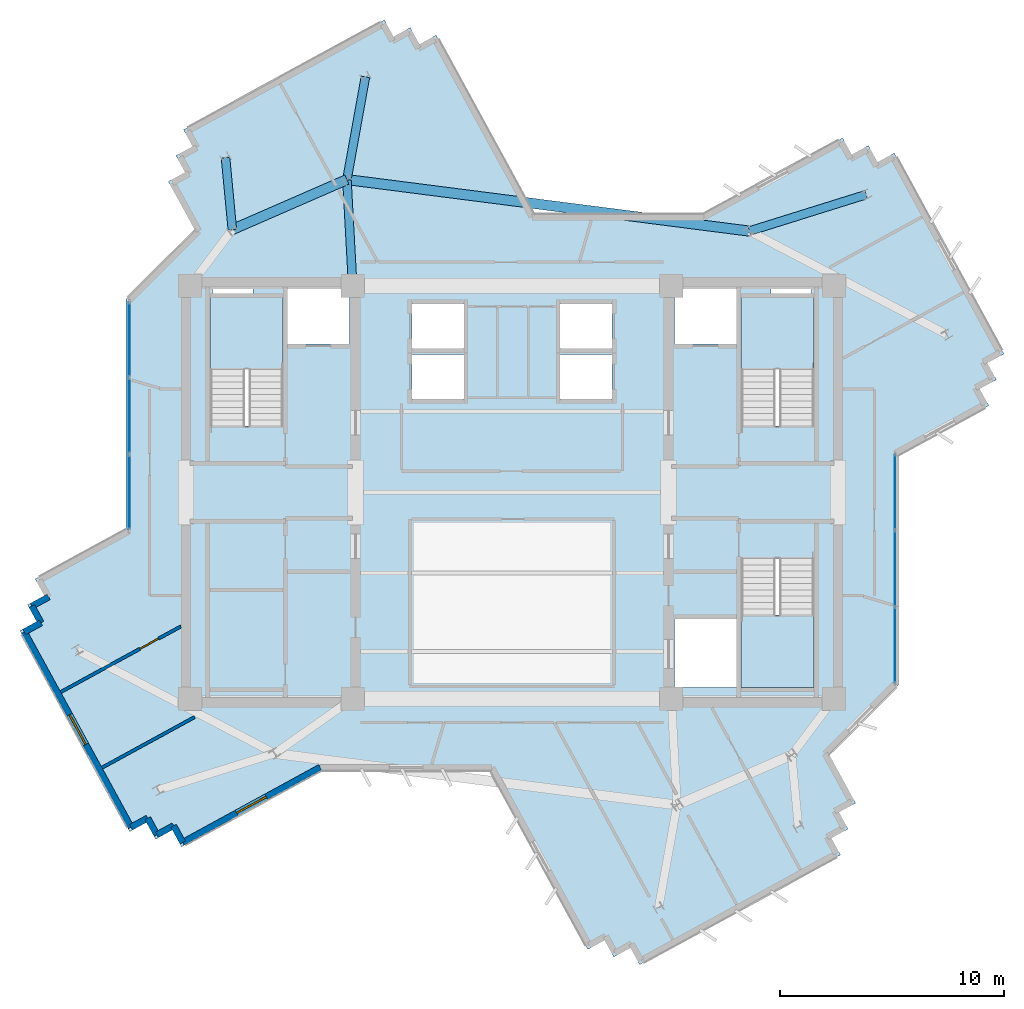
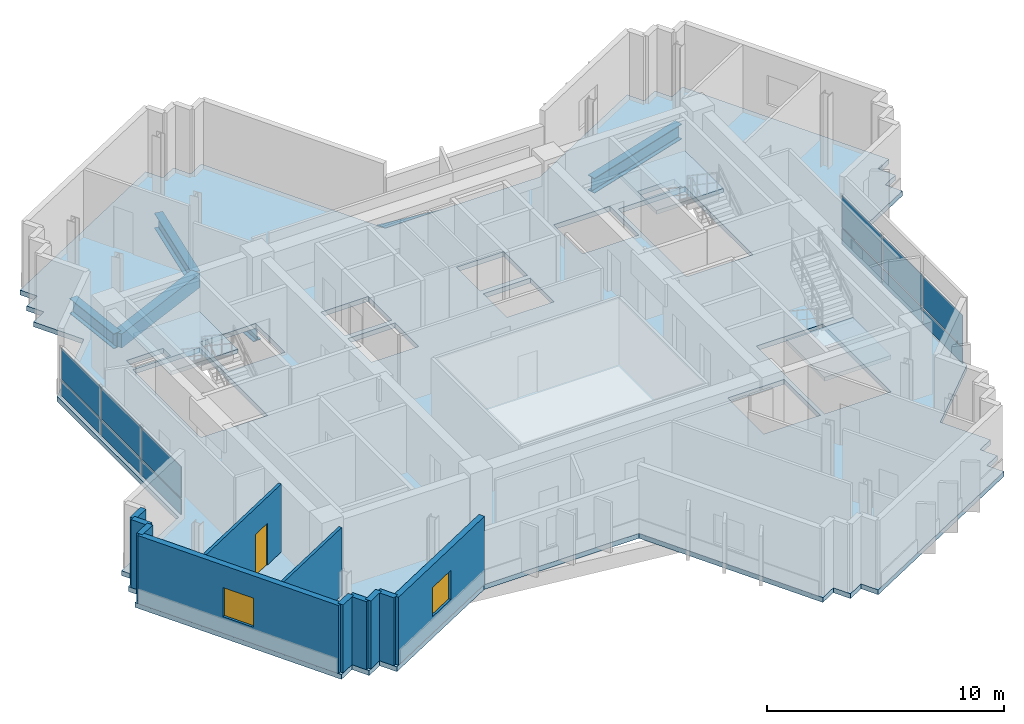
# One storey, part 4 of 13: 12 plates, 11 walls, 6 beams, 4 slabs, 2 windows, 1 door, 3 openings, 5 elements without a shape of their own.
"""IFC4 building model written with IfcOpenShell, lengths in metres."""

import ifcopenshell
import ifcopenshell.guid

model = None  # the IFC model being written
_history = None  # IfcOwnerHistory: only IFC2X3 demands one
_inside = {}  # id of a spatial element -> (the spatial element, [elements in it])
_under = {}  # id of a project, library or spatial element -> (it, [spatial elements below it])
_declared = {}  # id of a project -> (the project, [libraries it declares])
_typed = {}  # id of a type object -> (the type object, [elements of that type])
_made_of = {}  # id of a material, layer set ... -> (it, [elements and type objects made of it])


def new_model(schema):
    """Start an empty IFC model of exactly this schema.

    Asked for "IFC4X3", IfcOpenShell would pick the latest addendum, in which some entities
    have other attributes; the version numbers below select the first issue.
    IFC2X3 requires an IfcOwnerHistory on every rooted entity: one is made here for all.
    """
    global model, _history
    if schema == "IFC4X3":
        model = ifcopenshell.file(schema_version=(4, 3, 0, 0))
    else:
        model = ifcopenshell.file(schema=schema)
    _inside.clear()
    _under.clear()
    _declared.clear()
    _typed.clear()
    _made_of.clear()
    _history = None
    if model.schema == "IFC2X3":
        org = make("IfcOrganization", Name="unknown")
        user = make(
            "IfcPersonAndOrganization",
            ThePerson=make("IfcPerson", FamilyName="unknown"),
            TheOrganization=org,
        )
        app = make(
            "IfcApplication",
            ApplicationDeveloper=org,
            Version="unknown",
            ApplicationFullName="unknown",
            ApplicationIdentifier="unknown",
        )
        _history = make(
            "IfcOwnerHistory",
            OwningUser=user,
            OwningApplication=app,
            ChangeAction="ADDED",
            CreationDate=0,
        )
    return model


def make(cls, **values):
    """One entity of the class cls with the attributes given. An attribute that is None is left unset."""
    return model.create_entity(
        cls, **{name: value for name, value in values.items() if value is not None}
    )


def rooted(cls, **values):
    """An entity with a GlobalId (a new one), such as an element, a storey or a relation."""
    return make(cls, GlobalId=ifcopenshell.guid.new(), OwnerHistory=_history, **values)


def si_unit(unit_type, name, prefix=None):
    """IfcSIUnit, for example si_unit("LENGTHUNIT", "METRE", prefix="MILLI")."""
    return make("IfcSIUnit", UnitType=unit_type, Prefix=prefix, Name=name)


def assignment(units):
    """IfcUnitAssignment: the units of a project."""
    return None if units is None else make("IfcUnitAssignment", Units=units)


def point(xyz):
    """IfcCartesianPoint."""
    return None if xyz is None else make("IfcCartesianPoint", Coordinates=xyz)


def direction(xyz):
    """IfcDirection."""
    return None if xyz is None else make("IfcDirection", DirectionRatios=xyz)


def frame(location, z_axis=None, x_axis=None):
    """IfcAxis2Placement3D, a coordinate frame: its origin and axes. An axis left out is left unset."""
    return make(
        "IfcAxis2Placement3D",
        Location=point(location),
        Axis=direction(z_axis),
        RefDirection=direction(x_axis),
    )


def frame_2d(location, x_axis=None):
    """IfcAxis2Placement2D, a coordinate frame in the plane: its origin and x axis."""
    return make(
        "IfcAxis2Placement2D", Location=point(location), RefDirection=direction(x_axis)
    )


def origin():
    """The frame at (0, 0, 0) with its axes left unset."""
    return frame((0.0, 0.0, 0.0))


def origin_2d():
    """The frame at (0, 0) in the plane with its x axis left unset."""
    return frame_2d((0.0, 0.0))


def place(relative_to, where):
    """IfcLocalPlacement: puts the frame where relative to a parent placement (None: the world)."""
    return make(
        "IfcLocalPlacement", PlacementRelTo=relative_to, RelativePlacement=where
    )


def context(
    kind, dimensions, precision=None, world=None, true_north=None, identifier=None
):
    """IfcGeometricRepresentationContext, for example the 3D "Model" context."""
    return make(
        "IfcGeometricRepresentationContext",
        ContextIdentifier=identifier,
        ContextType=kind,
        CoordinateSpaceDimension=dimensions,
        Precision=precision,
        WorldCoordinateSystem=world,
        TrueNorth=true_north,
    )


def subcontext(parent, identifier, kind, view, scale=None):
    """IfcGeometricRepresentationSubContext, for example "Body" below "Model"."""
    return make(
        "IfcGeometricRepresentationSubContext",
        ContextIdentifier=identifier,
        ContextType=kind,
        ParentContext=parent,
        TargetScale=scale,
        TargetView=view,
    )


def project(units=None, contexts=None):
    """IfcProject with its units and contexts."""
    return rooted(
        "IfcProject",
        Name="project",
        RepresentationContexts=contexts,
        UnitsInContext=assignment(units),
    )


def spatial(cls, under=None, at=None, **own):
    """A site, building, storey or space (cls), placed at a placement, below another one or the project."""
    s = rooted(cls, ObjectPlacement=at, **own)
    if under is not None:
        _under.setdefault(under.id(), (under, []))[1].append(s)
    return s


def polyline(points):
    """IfcPolyline through the points."""
    return make("IfcPolyline", Points=[point(p) for p in points])


def profile(cls, at=None, kind="AREA", **sizes):
    """A parametric profile (cls). Its sizes go by their IFC names, for example OverallWidth=200.0."""
    return make(cls, ProfileType=kind, Position=at, **sizes)


def rectangle(**sizes):
    """IfcRectangleProfileDef."""
    return profile("IfcRectangleProfileDef", **sizes)


def i_section(**sizes):
    """IfcIShapeProfileDef."""
    return profile("IfcIShapeProfileDef", **sizes)


def outline(outer, holes=None, kind="AREA"):
    """IfcArbitraryClosedProfileDef: a profile drawn as a closed curve; with holes, ...WithVoids."""
    if holes is None:
        return make("IfcArbitraryClosedProfileDef", ProfileType=kind, OuterCurve=outer)
    return make(
        "IfcArbitraryProfileDefWithVoids",
        ProfileType=kind,
        OuterCurve=outer,
        InnerCurves=holes,
    )


def extrude(swept, where, along, depth):
    """IfcExtrudedAreaSolid: the profile swept, set in the frame where, extruded along a direction by depth."""
    return make(
        "IfcExtrudedAreaSolid",
        SweptArea=swept,
        Position=where,
        ExtrudedDirection=direction(along),
        Depth=depth,
    )


def shape(context_of_items, identifier, shape_type, items):
    """IfcShapeRepresentation: the items that make up one representation, for example the "Body"."""
    return make(
        "IfcShapeRepresentation",
        ContextOfItems=context_of_items,
        RepresentationIdentifier=identifier,
        RepresentationType=shape_type,
        Items=items,
    )


def source(mapping_origin, context_of_items, identifier, shape_type, items):
    """IfcRepresentationMap: a shape defined once, which mapped items show again and again."""
    return make(
        "IfcRepresentationMap",
        MappingOrigin=mapping_origin,
        MappedRepresentation=shape(context_of_items, identifier, shape_type, items),
    )


def transform(
    local_origin,
    x_axis=None,
    y_axis=None,
    z_axis=None,
    scale=None,
    scale2=None,
    scale3=None,
    uniform=True,
):
    """IfcCartesianTransformationOperator3D, or its non-uniform kind. x_axis, y_axis, z_axis: its Axis1, 2, 3."""
    if uniform:
        return make(
            "IfcCartesianTransformationOperator3D",
            Axis1=direction(x_axis),
            Axis2=direction(y_axis),
            LocalOrigin=point(local_origin),
            Scale=scale,
            Axis3=direction(z_axis),
        )
    return make(
        "IfcCartesianTransformationOperator3DnonUniform",
        Axis1=direction(x_axis),
        Axis2=direction(y_axis),
        LocalOrigin=point(local_origin),
        Scale=scale,
        Axis3=direction(z_axis),
        Scale2=scale2,
        Scale3=scale3,
    )


def mapped(mapping_source, mapping_target):
    """IfcMappedItem: shows the shape of a source again, moved by a transform."""
    return make(
        "IfcMappedItem", MappingSource=mapping_source, MappingTarget=mapping_target
    )


def material(Name=None, Category=None):
    """IfcMaterial."""
    return make("IfcMaterial", Name=Name, Category=Category)


def layer(
    of_material, thickness, ventilated=None, Name=None, Category=None, Priority=None
):
    """IfcMaterialLayer: one layer of a wall or slab, of a material (None: an air gap)."""
    return make(
        "IfcMaterialLayer",
        Material=of_material,
        LayerThickness=thickness,
        IsVentilated=ventilated,
        Name=Name,
        Category=Category,
        Priority=Priority,
    )


def layer_set(layers, Name=None):
    """IfcMaterialLayerSet."""
    return make("IfcMaterialLayerSet", MaterialLayers=layers, LayerSetName=Name)


def material_profile(
    of_material, cross_section, Name=None, Category=None, Priority=None
):
    """IfcMaterialProfile: a cross section and its material."""
    return make(
        "IfcMaterialProfile",
        Name=Name,
        Material=of_material,
        Profile=cross_section,
        Priority=Priority,
        Category=Category,
    )


def profile_set(profiles, Name=None, composite=None):
    """IfcMaterialProfileSet."""
    return make(
        "IfcMaterialProfileSet",
        Name=Name,
        MaterialProfiles=profiles,
        CompositeProfile=composite,
    )


def made_of(thing, what):
    """Note that an element or type object is made of a material, layer set ...; save() writes the relation."""
    if what is not None:
        _made_of.setdefault(what.id(), (what, []))[1].append(thing)
    return thing


def type_object(cls, material=None, **own):
    """A type object (cls), such as IfcWallType, which elements share."""
    return made_of(rooted(cls, **own), material)


def element(
    cls,
    number,
    at=None,
    inside=None,
    cuts=None,
    type_object=None,
    material=None,
    context=None,
    identifier="Body",
    shape_type=None,
    held_by="IfcProductDefinitionShape",
    body=None,
    shapes=None,
    **own,
):
    """One element of the class cls, such as IfcWall. Its Tag is "e" and its number.

    at: its placement. inside: the storey or other place that contains it. cuts: it is an
    opening in that element (IfcRelVoidsElement). A single representation is given by context,
    identifier, shape_type and body (its items); several are given by shapes. held_by: the class
    of the entity that holds the representations. save() writes the other relations.
    """
    e = rooted(cls, Tag="e%d" % number, ObjectPlacement=at, **own)
    if body is not None:
        shapes = [shape(context, identifier, shape_type, body)]
    if shapes is not None:
        e.Representation = make(held_by, Representations=shapes)
    if inside is not None:
        _inside.setdefault(inside.id(), (inside, []))[1].append(e)
    if cuts is not None:
        rooted(
            "IfcRelVoidsElement", RelatingBuildingElement=cuts, RelatedOpeningElement=e
        )
    if type_object is not None:
        _typed.setdefault(type_object.id(), (type_object, []))[1].append(e)
    return made_of(e, material)


def fill(opening, filler):
    """IfcRelFillsElement: the door or window that sits in an opening."""
    return rooted(
        "IfcRelFillsElement",
        RelatingOpeningElement=opening,
        RelatedBuildingElement=filler,
    )


def aggregate(whole, parts):
    """IfcRelAggregates: a whole, such as a stair, and the parts it consists of."""
    return rooted("IfcRelAggregates", RelatingObject=whole, RelatedObjects=parts)


def save(model, path):
    """Write the relations noted so far, then the file.

    IfcRelAggregates (storeys below a building ...), IfcRelContainedInSpatialStructure (elements
    in a storey), IfcRelDefinesByType, IfcRelAssociatesMaterial and IfcRelDeclares: one each for
    every whole, place, type object, material and project.
    """
    for whole, parts in _under.values():
        aggregate(whole, parts)
    for where, things in _inside.values():
        rooted(
            "IfcRelContainedInSpatialStructure",
            RelatedElements=things,
            RelatingStructure=where,
        )
    for kind, things in _typed.values():
        rooted("IfcRelDefinesByType", RelatedObjects=things, RelatingType=kind)
    for what, things in _made_of.values():
        rooted("IfcRelAssociatesMaterial", RelatedObjects=things, RelatingMaterial=what)
    for by, libraries in _declared.values():
        rooted("IfcRelDeclares", RelatingContext=by, RelatedDefinitions=libraries)
    model.write(path)


model = new_model("IFC4")

# Units and contexts
model_context = context("Model", 3, precision=1e-05, world=origin(), true_north=direction((0.0, 1.0)))
body_context = subcontext(model_context, "Body", "Model", "MODEL_VIEW")
ifc_project = project(units=[si_unit("LENGTHUNIT", "METRE"), si_unit("AREAUNIT", "SQUARE_METRE"), si_unit("VOLUMEUNIT", "CUBIC_METRE"), si_unit("PLANEANGLEUNIT", "RADIAN"), si_unit("MASSUNIT", "GRAM", prefix="KILO")], contexts=[model_context])

# Site, building, storey
site_placement = place(None, origin())
site = spatial("IfcSite", under=ifc_project, at=site_placement, CompositionType="ELEMENT")
building_placement = place(site_placement, origin())
building = spatial("IfcBuilding", under=site, at=building_placement, Name="Zahravan Cultural Tower", CompositionType="ELEMENT")
storey_placement = place(building_placement, frame((0.0, 0.0, 257.85009765625)))
storey = spatial("IfcBuildingStorey", under=building, at=storey_placement, Name="L61", CompositionType="ELEMENT", Elevation=257.85009765625)

# Beams
ifc_material_1 = material(Name="Concrete C45/55", Category="concrete")
ifc_material_profile_1 = material_profile(ifc_material_1, rectangle(XDim=0.449951171875, YDim=0.719970703125, at=origin_2d()), Name="RC450X720")
ifc_profile_set_1 = profile_set([ifc_material_profile_1], Name="Concrete C45/55")
beam_type_1 = type_object("IfcBeamType", Name="BM-SP-RC450X720", PredefinedType="SPANDREL", material=ifc_profile_set_1)
shared_shape_1 = source(origin(), body_context, "Body", "SweptSolid", [
    extrude(rectangle(XDim=0.449951171875, YDim=0.719970703125, at=origin_2d()), origin(), (0.0, 0.0, 1.0), 18.081787109375),
])
beam_1_placement = place(storey_placement, frame((46.577880859375, 38.640625, -0.610107421875), z_axis=(-0.991900954377, 0.127013765812, 0.0), x_axis=(-0.127013765812, -0.991900954377, 0.0)))
element("IfcBeam", 1, at=beam_1_placement, inside=storey, type_object=beam_type_1, Name="L61 Beam SP-L61-22", PredefinedType="SPANDREL", context=body_context, shape_type="MappedRepresentation", body=[
    mapped(shared_shape_1, transform((0.0, 0.0, 0.0), x_axis=(1.0, 0.0, 0.0), y_axis=(0.0, 1.0, 0.0), z_axis=(0.0, 0.0, 1.0), scale=1.0)),
])
shared_shape_2 = source(origin(), body_context, "Body", "SweptSolid", [
    extrude(rectangle(XDim=0.449951171875, YDim=0.719970703125, at=origin_2d()), origin(), (0.0, 0.0, 1.0), 5.570556640625),
])
beam_2_placement = place(storey_placement, frame((28.642578125, 40.937255859375, -0.610107421875), z_axis=(-0.9166445026, -0.399703459896, 0.0), x_axis=(0.399703459896, -0.9166445026, 0.0)))
element("IfcBeam", 2, at=beam_2_placement, inside=storey, type_object=beam_type_1, Name="L61 Beam SP-L61-23", PredefinedType="SPANDREL", context=body_context, shape_type="MappedRepresentation", body=[
    mapped(shared_shape_2, transform((0.0, 0.0, 0.0), x_axis=(1.0, 0.0, 0.0), y_axis=(0.0, 1.0, 0.0), z_axis=(0.0, 0.0, 1.0), scale=1.0)),
])
ifc_material_2 = material(Name="Steel ASTM A992 Grade 50", Category="steel")
ifc_material_profile_2 = material_profile(ifc_material_2, i_section(OverallWidth=0.382080078125, OverallDepth=0.779052734375, WebThickness=0.01806640625, FlangeThickness=0.030029296875, FilletRadius=0.01904296875, at=origin_2d()), Name="W30X191")
ifc_profile_set_2 = profile_set([ifc_material_profile_2], Name="Steel ASTM A992 Grade 50")
beam_type_2 = type_object("IfcBeamType", Name="BM-G-W30X191", PredefinedType="BEAM", material=ifc_profile_set_2)
shared_shape_3 = source(origin(), body_context, "Body", "SweptSolid", [
    extrude(i_section(OverallWidth=0.382080078125, OverallDepth=0.779052734375, WebThickness=0.01806640625, FlangeThickness=0.030029296875, FilletRadius=0.01904296875, at=origin_2d()), origin(), (0.0, 0.0, 1.0), 4.744384765625),
])
beam_3_placement = place(storey_placement, frame((28.89990234375, 36.199951171875, -0.6396484375), z_axis=(-0.054238739845, 0.998527996152, 0.0), x_axis=(-0.998527996152, -0.054238739845, 0.0)))
element("IfcBeam", 3, at=beam_3_placement, inside=storey, type_object=beam_type_2, Name="L61 Beam BG-L61-10", PredefinedType="BEAM", context=body_context, shape_type="MappedRepresentation", body=[
    mapped(shared_shape_3, transform((0.0, 0.0, 0.0), x_axis=(1.0, 0.0, 0.0), y_axis=(0.0, 1.0, 0.0), z_axis=(0.0, 0.0, 1.0), scale=1.0)),
])
shared_shape_4 = source(origin(), body_context, "Body", "SweptSolid", [
    extrude(i_section(OverallWidth=0.382080078125, OverallDepth=0.779052734375, WebThickness=0.01806640625, FlangeThickness=0.030029296875, FilletRadius=0.01904296875, at=origin_2d()), origin(), (0.0, 0.0, 1.0), 5.450927734375),
])
beam_4_placement = place(storey_placement, frame((46.577880859375, 38.640625, -0.6396484375), z_axis=(0.954416996605, 0.298476459025, 0.0), x_axis=(-0.298476459025, 0.954416996605, 0.0)))
element("IfcBeam", 4, at=beam_4_placement, inside=storey, type_object=beam_type_2, Name="L61 Beam BG-L61-13", PredefinedType="BEAM", context=body_context, shape_type="MappedRepresentation", body=[
    mapped(shared_shape_4, transform((0.0, 0.0, 0.0), x_axis=(1.0, 0.0, 0.0), y_axis=(0.0, 1.0, 0.0), z_axis=(0.0, 0.0, 1.0), scale=1.0)),
])
shared_shape_5 = source(origin(), body_context, "Body", "SweptSolid", [
    extrude(i_section(OverallWidth=0.382080078125, OverallDepth=0.779052734375, WebThickness=0.01806640625, FlangeThickness=0.030029296875, FilletRadius=0.01904296875, at=origin_2d()), origin(), (0.0, 0.0, 1.0), 4.65087890625),
])
beam_5_placement = place(storey_placement, frame((28.642578125, 40.937255859375, -0.6396484375), z_axis=(0.177425522697, 0.984134230629, 0.0), x_axis=(-0.984134230629, 0.177425522697, 0.0)))
element("IfcBeam", 5, at=beam_5_placement, inside=storey, type_object=beam_type_2, Name="L61 Beam BG-L61-14", PredefinedType="BEAM", context=body_context, shape_type="MappedRepresentation", body=[
    mapped(shared_shape_5, transform((0.0, 0.0, 0.0), x_axis=(1.0, 0.0, 0.0), y_axis=(0.0, 1.0, 0.0), z_axis=(0.0, 0.0, 1.0), scale=1.0)),
])
shared_shape_6 = source(origin(), body_context, "Body", "SweptSolid", [
    extrude(i_section(OverallWidth=0.382080078125, OverallDepth=0.779052734375, WebThickness=0.01806640625, FlangeThickness=0.030029296875, FilletRadius=0.01904296875, at=origin_2d()), origin(), (0.0, 0.0, 1.0), 3.218017578125),
])
beam_6_placement = place(storey_placement, frame((23.536376953125, 38.710693359375, -0.6396484375), z_axis=(-0.094454641962, 0.995529166128, 0.0), x_axis=(-0.995529166128, -0.094454641962, 0.0)))
element("IfcBeam", 6, at=beam_6_placement, inside=storey, type_object=beam_type_2, Name="L61 Beam BG-L61-15", PredefinedType="BEAM", context=body_context, shape_type="MappedRepresentation", body=[
    mapped(shared_shape_6, transform((0.0, 0.0, 0.0), x_axis=(1.0, 0.0, 0.0), y_axis=(0.0, 1.0, 0.0), z_axis=(0.0, 0.0, 1.0), scale=1.0)),
])

# Stair, slab
stair_type = type_object("IfcStairType", Name="STR-DL-1550-375", PredefinedType="HALF_TURN_STAIR", material=ifc_material_1)
stair_1_placement = place(storey_placement, origin())
stair_1 = element("IfcStair", 7, at=stair_1_placement, inside=storey, type_object=stair_type, Name="L61 West Core North Exit Stair ST-W1", PredefinedType="HALF_TURN_STAIR")
ifc_layer_1 = layer(ifc_material_1, 0.199951171875)
ifc_layer_set_1 = layer_set([ifc_layer_1], Name="Concrete C45/55")
slab_type_1 = type_object("IfcSlabType", Name="SL-STAIR-LND200", PredefinedType="LANDING", material=ifc_layer_set_1)
slab_1_placement = place(storey_placement, frame((0.0, 0.0, 1.6748046875)))
slab_1 = element("IfcSlab", 8, at=slab_1_placement, type_object=slab_type_1, Name="ST-W1 landing 1", PredefinedType="LANDING", context=body_context, shape_type="SweptSolid", body=[
    extrude(outline(polyline([(25.800048828125, 32.469970703125), (25.800048828125, 35.699951171875), (22.550048828125, 35.699951171875), (22.550048828125, 32.469970703125), (25.800048828125, 32.469970703125)])), origin(), (0.0, 0.0, 1.0), 0.2001953125),
])
aggregate(stair_1, [slab_1])

stair_2_placement = place(storey_placement, origin())
stair_2 = element("IfcStair", 9, at=stair_2_placement, inside=storey, type_object=stair_type, Name="L61 East Core North Exit Stair ST-E1", PredefinedType="HALF_TURN_STAIR")
slab_2_placement = place(storey_placement, frame((0.0, 0.0, 1.6748046875)))
slab_2 = element("IfcSlab", 10, at=slab_2_placement, type_object=slab_type_1, Name="ST-E1 landing 1", PredefinedType="LANDING", context=body_context, shape_type="SweptSolid", body=[
    extrude(outline(polyline([(49.449951171875, 32.469970703125), (49.449951171875, 35.699951171875), (46.199951171875, 35.699951171875), (46.199951171875, 32.469970703125), (49.449951171875, 32.469970703125)])), origin(), (0.0, 0.0, 1.0), 0.2001953125),
])
aggregate(stair_2, [slab_2])

stair_3_placement = place(storey_placement, origin())
stair_3 = element("IfcStair", 11, at=stair_3_placement, inside=storey, type_object=stair_type, Name="L61 East Core South Exit Stair ST-E2", PredefinedType="HALF_TURN_STAIR")
slab_3_placement = place(storey_placement, frame((0.0, 0.0, 1.6748046875)))
slab_3 = element("IfcSlab", 12, at=slab_3_placement, type_object=slab_type_1, Name="ST-E2 landing 1", PredefinedType="LANDING", context=body_context, shape_type="SweptSolid", body=[
    extrude(outline(polyline([(46.199951171875, 21.530029296875), (46.199951171875, 18.300048828125), (49.449951171875, 18.300048828125), (49.449951171875, 21.530029296875), (46.199951171875, 21.530029296875)])), origin(), (0.0, 0.0, 1.0), 0.2001953125),
])
aggregate(stair_3, [slab_3])

# Slab
ifc_material_3 = material(Name="Concrete C40/50", Category="concrete")
ifc_layer_2 = layer(ifc_material_3, 0.25)
ifc_layer_set_2 = layer_set([ifc_layer_2], Name="Concrete C40/50")
slab_type_2 = type_object("IfcSlabType", Name="SL-TYP-250", PredefinedType="FLOOR", material=ifc_layer_set_2)
slab_4_placement = place(storey_placement, frame((0.0, 0.0, -0.25)))
element("IfcSlab", 13, at=slab_4_placement, inside=storey, type_object=slab_type_2, Name="L61 Structural Floor Slab", PredefinedType="FLOOR", context=body_context, shape_type="SweptSolid", body=[
    extrude(outline(polyline([(44.513427734375, 39.39990234375), (36.97412109375, 39.39990234375), (32.617919921875, 47.372802734375), (31.8720703125, 46.96533203125), (31.464599609375, 47.711181640625), (30.718505859375, 47.3037109375), (30.31103515625, 48.049560546875), (21.35986328125, 43.1591796875), (21.767578125, 42.4130859375), (21.021484375, 42.005615234375), (21.42919921875, 41.259765625), (20.68310546875, 40.852294921875), (21.87353515625, 38.673583984375), (18.800048828125, 35.60009765625), (18.800048828125, 25.3515625), (14.74951171875, 23.138671875), (15.156982421875, 22.392578125), (14.4111328125, 21.985107421875), (14.81884765625, 21.2392578125), (14.07275390625, 20.83154296875), (18.96337890625, 11.880615234375), (19.709228515625, 12.2880859375), (20.11669921875, 11.5419921875), (20.86279296875, 11.94970703125), (21.270263671875, 11.20361328125), (27.486572265625, 14.60009765625), (35.02587890625, 14.60009765625), (39.382080078125, 6.627197265625), (40.1279296875, 7.03466796875), (40.535400390625, 6.288818359375), (41.281494140625, 6.6962890625), (41.68896484375, 5.950439453125), (50.64013671875, 10.8408203125), (50.232421875, 11.5869140625), (50.978515625, 11.994384765625), (50.57080078125, 12.740234375), (51.31689453125, 13.147705078125), (50.12646484375, 15.326416015625), (53.199951171875, 18.39990234375), (53.199951171875, 28.6484375), (57.25048828125, 30.861328125), (56.843017578125, 31.607421875), (57.5888671875, 32.014892578125), (57.18115234375, 32.7607421875), (57.92724609375, 33.16845703125), (53.03662109375, 42.119384765625), (52.290771484375, 41.7119140625), (51.88330078125, 42.4580078125), (51.13720703125, 42.05029296875), (50.729736328125, 42.79638671875), (44.513427734375, 39.39990234375)]), holes=[polyline([(22.550048828125, 29.949951171875), (22.550048828125, 35.699951171875), (25.800048828125, 35.699951171875), (25.800048828125, 29.949951171875), (22.550048828125, 29.949951171875)]), polyline([(46.199951171875, 29.949951171875), (46.199951171875, 35.699951171875), (49.449951171875, 35.699951171875), (49.449951171875, 29.949951171875), (46.199951171875, 29.949951171875)]), polyline([(46.199951171875, 18.300048828125), (46.199951171875, 24.050048828125), (49.449951171875, 24.050048828125), (49.449951171875, 18.300048828125), (46.199951171875, 18.300048828125)]), polyline([(26.0, 33.60009765625), (26.0, 36.050048828125), (28.75, 36.050048828125), (28.75, 33.60009765625), (26.0, 33.60009765625)]), polyline([(43.25, 33.60009765625), (43.25, 36.050048828125), (46.0, 36.050048828125), (46.0, 33.60009765625), (43.25, 33.60009765625)]), polyline([(43.25, 18.300048828125), (43.25, 21.35009765625), (46.0, 21.35009765625), (46.0, 18.300048828125), (43.25, 18.300048828125)]), polyline([(31.550048828125, 33.39990234375), (31.550048828125, 35.39990234375), (33.85009765625, 35.39990234375), (33.85009765625, 33.39990234375), (31.550048828125, 33.39990234375)]), polyline([(31.550048828125, 31.14990234375), (31.550048828125, 33.14990234375), (33.85009765625, 33.14990234375), (33.85009765625, 31.14990234375), (31.550048828125, 31.14990234375)]), polyline([(38.14990234375, 33.39990234375), (38.14990234375, 35.39990234375), (40.449951171875, 35.39990234375), (40.449951171875, 33.39990234375), (38.14990234375, 33.39990234375)]), polyline([(38.14990234375, 31.14990234375), (38.14990234375, 33.14990234375), (40.449951171875, 33.14990234375), (40.449951171875, 31.14990234375), (38.14990234375, 31.14990234375)]), polyline([(22.64990234375, 35.800048828125), (22.64990234375, 36.419921875), (24.449951171875, 36.419921875), (24.449951171875, 35.800048828125), (22.64990234375, 35.800048828125)]), polyline([(47.550048828125, 35.800048828125), (47.550048828125, 36.419921875), (49.35009765625, 36.419921875), (49.35009765625, 35.800048828125), (47.550048828125, 35.800048828125)])]), origin(), (0.0, 0.0, 1.0), 0.25),
])

# Curtain wall, plates
ifc_material_4 = material(Name="Anodised bronze-aluminium mullion", Category="aluminium")
ifc_layer_3 = layer(ifc_material_4, 0.1650390625)
ifc_layer_set_3 = layer_set([ifc_layer_3], Name="Anodised bronze-aluminium mullion")
curtain_wall_type_1 = type_object("IfcCurtainWallType", Name="CW-SYS-4", PredefinedType="USERDEFINED", material=ifc_layer_set_3)
curtain_wall_1_placement = place(storey_placement, origin())
curtain_wall_1 = element("IfcCurtainWall", 14, at=curtain_wall_1_placement, inside=storey, type_object=curtain_wall_type_1, Name="L61 Recessed Curtain Wall CW-4.1", ObjectType="RECESSED GLAZING", PredefinedType="USERDEFINED")
ifc_material_5 = material(Name="Low-E solar-control double glazing", Category="glass")
ifc_layer_4 = layer(ifc_material_5, 0.02587890625)
ifc_layer_set_4 = layer_set([ifc_layer_4], Name="Low-E solar-control double glazing")
plate_type_1 = type_object("IfcPlateType", Name="CWP-CW-4", PredefinedType="CURTAIN_PANEL", material=ifc_layer_set_4)
shared_shape_7 = source(origin(), body_context, "Body", "SweptSolid", [
    extrude(rectangle(XDim=3.326904296875, YDim=0.02587890625, at=origin_2d()), origin(), (0.0, 0.0, 1.0), 0.802490234375),
])
plate_1_placement = place(storey_placement, frame((53.06005859375, 27.0029296875, 0.06494140625), z_axis=(0.0, 0.0, 1.0), x_axis=(0.0, -1.0, 0.0)))
plate_1 = element("IfcPlate", 15, at=plate_1_placement, type_object=plate_type_1, Name="CW-4 panel 1.1", PredefinedType="CURTAIN_PANEL", context=body_context, shape_type="MappedRepresentation", body=[
    mapped(shared_shape_7, transform((0.0, 0.0, 0.0), x_axis=(1.0, 0.0, 0.0), y_axis=(0.0, 1.0, 0.0), z_axis=(0.0, 0.0, 1.0), scale=1.0)),
])
plate_2_placement = place(storey_placement, frame((53.06005859375, 20.1865234375, 0.06494140625), z_axis=(0.0, 0.0, 1.0), x_axis=(0.0, -1.0, 0.0)))
plate_2 = element("IfcPlate", 16, at=plate_2_placement, type_object=plate_type_1, Name="CW-4 panel 3.1", PredefinedType="CURTAIN_PANEL", context=body_context, shape_type="MappedRepresentation", body=[
    mapped(shared_shape_7, transform((0.0, 0.0, 0.0), x_axis=(1.0, 0.0, 0.0), y_axis=(0.0, 1.0, 0.0), z_axis=(0.0, 0.0, 1.0), scale=1.0)),
])
shared_shape_8 = source(origin(), body_context, "Body", "SweptSolid", [
    extrude(rectangle(XDim=3.326904296875, YDim=0.02587890625, at=origin_2d()), origin(), (0.0, 0.0, 1.0), 1.62255859375),
])
plate_3_placement = place(storey_placement, frame((53.06005859375, 27.0029296875, 0.932373046875), z_axis=(0.0, 0.0, 1.0), x_axis=(0.0, -1.0, 0.0)))
plate_3 = element("IfcPlate", 17, at=plate_3_placement, type_object=plate_type_1, Name="CW-4 panel 1.2", PredefinedType="CURTAIN_PANEL", context=body_context, shape_type="MappedRepresentation", body=[
    mapped(shared_shape_8, transform((0.0, 0.0, 0.0), x_axis=(1.0, 0.0, 0.0), y_axis=(0.0, 1.0, 0.0), z_axis=(0.0, 0.0, 1.0), scale=1.0)),
])
plate_4_placement = place(storey_placement, frame((53.06005859375, 20.1865234375, 0.932373046875), z_axis=(0.0, 0.0, 1.0), x_axis=(0.0, -1.0, 0.0)))
plate_4 = element("IfcPlate", 18, at=plate_4_placement, type_object=plate_type_1, Name="CW-4 panel 3.2", PredefinedType="CURTAIN_PANEL", context=body_context, shape_type="MappedRepresentation", body=[
    mapped(shared_shape_8, transform((0.0, 0.0, 0.0), x_axis=(1.0, 0.0, 0.0), y_axis=(0.0, 1.0, 0.0), z_axis=(0.0, 0.0, 1.0), scale=1.0)),
])
shared_shape_9 = source(origin(), body_context, "Body", "SweptSolid", [
    extrude(rectangle(XDim=3.359619140625, YDim=0.02587890625, at=origin_2d()), origin(), (0.0, 0.0, 1.0), 0.802490234375),
])
plate_5_placement = place(storey_placement, frame((53.06005859375, 23.5947265625, 0.06494140625), z_axis=(0.0, 0.0, 1.0), x_axis=(0.0, -1.0, 0.0)))
plate_5 = element("IfcPlate", 19, at=plate_5_placement, type_object=plate_type_1, Name="CW-4 panel 2.1", PredefinedType="CURTAIN_PANEL", context=body_context, shape_type="MappedRepresentation", body=[
    mapped(shared_shape_9, transform((0.0, 0.0, 0.0), x_axis=(1.0, 0.0, 0.0), y_axis=(0.0, 1.0, 0.0), z_axis=(0.0, 0.0, 1.0), scale=1.0)),
])
shared_shape_10 = source(origin(), body_context, "Body", "SweptSolid", [
    extrude(rectangle(XDim=3.359619140625, YDim=0.02587890625, at=origin_2d()), origin(), (0.0, 0.0, 1.0), 1.62255859375),
])
plate_6_placement = place(storey_placement, frame((53.06005859375, 23.5947265625, 0.932373046875), z_axis=(0.0, 0.0, 1.0), x_axis=(0.0, -1.0, 0.0)))
plate_6 = element("IfcPlate", 20, at=plate_6_placement, type_object=plate_type_1, Name="CW-4 panel 2.2", PredefinedType="CURTAIN_PANEL", context=body_context, shape_type="MappedRepresentation", body=[
    mapped(shared_shape_10, transform((0.0, 0.0, 0.0), x_axis=(1.0, 0.0, 0.0), y_axis=(0.0, 1.0, 0.0), z_axis=(0.0, 0.0, 1.0), scale=1.0)),
])
aggregate(curtain_wall_1, [plate_1, plate_3, plate_5, plate_6, plate_2, plate_4])

ifc_layer_5 = layer(ifc_material_4, 0.219970703125)
ifc_layer_set_5 = layer_set([ifc_layer_5], Name="Anodised bronze-aluminium mullion")
curtain_wall_type_2 = type_object("IfcCurtainWallType", Name="CW-SYS-1", PredefinedType="USERDEFINED", material=ifc_layer_set_5)
curtain_wall_2_placement = place(storey_placement, origin())
curtain_wall_2 = element("IfcCurtainWall", 21, at=curtain_wall_2_placement, inside=storey, type_object=curtain_wall_type_2, Name="L61 Recessed Curtain Wall CW-1.2", ObjectType="RECESSED GLAZING", PredefinedType="USERDEFINED")
ifc_layer_6 = layer(ifc_material_5, 0.031982421875)
ifc_layer_set_6 = layer_set([ifc_layer_6], Name="Low-E solar-control double glazing")
plate_type_2 = type_object("IfcPlateType", Name="CWP-CW-1", PredefinedType="CURTAIN_PANEL", material=ifc_layer_set_6)
shared_shape_11 = source(origin(), body_context, "Body", "SweptSolid", [
    extrude(rectangle(XDim=3.304443359375, YDim=0.031982421875, at=origin_2d()), origin(), (0.0, 0.0, 1.0), 0.780029296875),
])
plate_7_placement = place(storey_placement, frame((18.93994140625, 27.000732421875, 0.080078125), z_axis=(0.0, 0.0, 1.0), x_axis=(0.0, 1.0, 0.0)))
plate_7 = element("IfcPlate", 22, at=plate_7_placement, type_object=plate_type_2, Name="CW-1 panel 1.1", PredefinedType="CURTAIN_PANEL", context=body_context, shape_type="MappedRepresentation", body=[
    mapped(shared_shape_11, transform((0.0, 0.0, 0.0), x_axis=(1.0, 0.0, 0.0), y_axis=(0.0, 1.0, 0.0), z_axis=(0.0, 0.0, 1.0), scale=1.0)),
])
plate_8_placement = place(storey_placement, frame((18.93994140625, 33.809814453125, 0.080078125), z_axis=(0.0, 0.0, 1.0), x_axis=(0.0, 1.0, 0.0)))
plate_8 = element("IfcPlate", 23, at=plate_8_placement, type_object=plate_type_2, Name="CW-1 panel 3.1", PredefinedType="CURTAIN_PANEL", context=body_context, shape_type="MappedRepresentation", body=[
    mapped(shared_shape_11, transform((0.0, 0.0, 0.0), x_axis=(1.0, 0.0, 0.0), y_axis=(0.0, 1.0, 0.0), z_axis=(0.0, 0.0, 1.0), scale=1.0)),
])
shared_shape_12 = source(origin(), body_context, "Body", "SweptSolid", [
    extrude(rectangle(XDim=3.304443359375, YDim=0.031982421875, at=origin_2d()), origin(), (0.0, 0.0, 1.0), 1.60009765625),
])
plate_9_placement = place(storey_placement, frame((18.93994140625, 27.000732421875, 0.93994140625), z_axis=(0.0, 0.0, 1.0), x_axis=(0.0, 1.0, 0.0)))
plate_9 = element("IfcPlate", 24, at=plate_9_placement, type_object=plate_type_2, Name="CW-1 panel 1.2", PredefinedType="CURTAIN_PANEL", context=body_context, shape_type="MappedRepresentation", body=[
    mapped(shared_shape_12, transform((0.0, 0.0, 0.0), x_axis=(1.0, 0.0, 0.0), y_axis=(0.0, 1.0, 0.0), z_axis=(0.0, 0.0, 1.0), scale=1.0)),
])
plate_10_placement = place(storey_placement, frame((18.93994140625, 33.809814453125, 0.93994140625), z_axis=(0.0, 0.0, 1.0), x_axis=(0.0, 1.0, 0.0)))
plate_10 = element("IfcPlate", 25, at=plate_10_placement, type_object=plate_type_2, Name="CW-1 panel 3.2", PredefinedType="CURTAIN_PANEL", context=body_context, shape_type="MappedRepresentation", body=[
    mapped(shared_shape_12, transform((0.0, 0.0, 0.0), x_axis=(1.0, 0.0, 0.0), y_axis=(0.0, 1.0, 0.0), z_axis=(0.0, 0.0, 1.0), scale=1.0)),
])
shared_shape_13 = source(origin(), body_context, "Body", "SweptSolid", [
    extrude(rectangle(XDim=3.344482421875, YDim=0.031982421875, at=origin_2d()), origin(), (0.0, 0.0, 1.0), 0.780029296875),
])
plate_11_placement = place(storey_placement, frame((18.93994140625, 30.4052734375, 0.080078125), z_axis=(0.0, 0.0, 1.0), x_axis=(0.0, 1.0, 0.0)))
plate_11 = element("IfcPlate", 26, at=plate_11_placement, type_object=plate_type_2, Name="CW-1 panel 2.1", PredefinedType="CURTAIN_PANEL", context=body_context, shape_type="MappedRepresentation", body=[
    mapped(shared_shape_13, transform((0.0, 0.0, 0.0), x_axis=(1.0, 0.0, 0.0), y_axis=(0.0, 1.0, 0.0), z_axis=(0.0, 0.0, 1.0), scale=1.0)),
])
shared_shape_14 = source(origin(), body_context, "Body", "SweptSolid", [
    extrude(rectangle(XDim=3.344482421875, YDim=0.031982421875, at=origin_2d()), origin(), (0.0, 0.0, 1.0), 1.60009765625),
])
plate_12_placement = place(storey_placement, frame((18.93994140625, 30.4052734375, 0.93994140625), z_axis=(0.0, 0.0, 1.0), x_axis=(0.0, 1.0, 0.0)))
plate_12 = element("IfcPlate", 27, at=plate_12_placement, type_object=plate_type_2, Name="CW-1 panel 2.2", PredefinedType="CURTAIN_PANEL", context=body_context, shape_type="MappedRepresentation", body=[
    mapped(shared_shape_14, transform((0.0, 0.0, 0.0), x_axis=(1.0, 0.0, 0.0), y_axis=(0.0, 1.0, 0.0), z_axis=(0.0, 0.0, 1.0), scale=1.0)),
])
aggregate(curtain_wall_2, [plate_7, plate_9, plate_11, plate_12, plate_8, plate_10])

# Wall, opening, window
ifc_material_6 = material(Name="Precast concrete C40/50", Category="concrete")
ifc_layer_7 = layer(ifc_material_6, 0.280029296875)
ifc_layer_set_7 = layer_set([ifc_layer_7], Name="Precast concrete C40/50")
wall_type_1 = type_object("IfcWallType", Name="EW-TC-280", PredefinedType="SOLIDWALL", material=ifc_layer_set_7)
wall_1_placement = place(storey_placement, frame((27.45068359375, 14.739990234375, 0.0), z_axis=(0.0, 0.0, 1.0), x_axis=(-0.877569176667, -0.479450039279, 0.0)))
wall_1 = element("IfcWall", 28, at=wall_1_placement, inside=storey, type_object=wall_type_1, Name="L61 Exterior Masonry Frame Wall 25", PredefinedType="SOLIDWALL", context=body_context, shape_type="SweptSolid", body=[
    extrude(rectangle(XDim=6.979248046875, YDim=0.280029296875, at=frame_2d((3.48974609375, 0.0))), origin(), (0.0, 0.0, 1.0), 3.5),
])
opening_1_placement = place(wall_1_placement, frame((2.739990234375, 0.0, 0.85009765625)))
opening_1 = element("IfcOpeningElement", 29, at=opening_1_placement, cuts=wall_1, Name="Opening WN-03", PredefinedType="OPENING", context=body_context, shape_type="SweptSolid", body=[
    extrude(rectangle(XDim=1.5, YDim=1.5, at=frame_2d((0.75, 0.75))), frame((0.0, 0.14990234375, 0.0), z_axis=(0.0, -1.0, 0.0), x_axis=(1.0, 0.0, 0.0)), (0.0, 0.0, 1.0), 0.300048828125),
])
window_type = type_object("IfcWindowType", Name="WN-REC-1500X1500", PartitioningType="SINGLE_PANEL", PredefinedType="WINDOW", material=ifc_material_5)
shared_shape_15 = source(origin(), body_context, "Body", "SweptSolid", [
    extrude(rectangle(XDim=1.5, YDim=1.5, at=frame_2d((0.75, 0.75))), frame((0.0, 0.030029296875, 0.0), z_axis=(0.0, -1.0, 0.0), x_axis=(1.0, 0.0, 0.0)), (0.0, 0.0, 1.0), 0.06005859375),
])
window_1_placement = place(opening_1_placement, origin())
window_1 = element("IfcWindow", 30, at=window_1_placement, inside=storey, type_object=window_type, Name="L61 Recessed Solar Window 07", OverallHeight=1.5, OverallWidth=1.5, PartitioningType="SINGLE_PANEL", PredefinedType="WINDOW", context=body_context, shape_type="MappedRepresentation", body=[
    mapped(shared_shape_15, transform((0.0, 0.0, 0.0), x_axis=(1.0, 0.0, 0.0), y_axis=(0.0, 1.0, 0.0), z_axis=(0.0, 0.0, 1.0), scale=1.0)),
])
fill(opening_1, window_1)

wall_2_placement = place(storey_placement, frame((19.01904296875, 12.070556640625, 0.0), z_axis=(0.0, 0.0, 1.0), x_axis=(-0.479472774144, 0.877556755347, 0.0)))
wall_2 = element("IfcWall", 31, at=wall_2_placement, inside=storey, type_object=wall_type_1, Name="L61 Exterior Masonry Frame Wall 30", PredefinedType="SOLIDWALL", context=body_context, shape_type="SweptSolid", body=[
    extrude(rectangle(XDim=9.919921875, YDim=0.280029296875, at=frame_2d((4.9599609375, 0.0))), origin(), (0.0, 0.0, 1.0), 3.5),
])
opening_2_placement = place(wall_2_placement, frame((4.2099609375, 0.0, 0.85009765625)))
opening_2 = element("IfcOpeningElement", 32, at=opening_2_placement, cuts=wall_2, Name="Opening WN-03", PredefinedType="OPENING", context=body_context, shape_type="SweptSolid", body=[
    extrude(rectangle(XDim=1.5, YDim=1.5, at=frame_2d((0.75, 0.75))), frame((0.0, 0.14990234375, 0.0), z_axis=(0.0, -1.0, 0.0), x_axis=(1.0, 0.0, 0.0)), (0.0, 0.0, 1.0), 0.300048828125),
])
window_2_placement = place(opening_2_placement, origin())
window_2 = element("IfcWindow", 33, at=window_2_placement, inside=storey, type_object=window_type, Name="L61 Recessed Solar Window 08", OverallHeight=1.5, OverallWidth=1.5, PartitioningType="SINGLE_PANEL", PredefinedType="WINDOW", context=body_context, shape_type="MappedRepresentation", body=[
    mapped(shared_shape_15, transform((0.0, 0.0, 0.0), x_axis=(1.0, 0.0, 0.0), y_axis=(0.0, 1.0, 0.0), z_axis=(0.0, 0.0, 1.0), scale=1.0)),
])
fill(opening_2, window_2)

# Wall, opening, door
ifc_material_7 = material(Name="Gypsum plasterboard partition")
ifc_layer_8 = layer(ifc_material_7, 0.139892578125)
ifc_layer_set_8 = layer_set([ifc_layer_8], Name="Gypsum plasterboard partition")
wall_type_2 = type_object("IfcWallType", Name="W-PART-140", PredefinedType="PARTITIONING", material=ifc_layer_set_8)
wall_3_placement = place(storey_placement, frame((15.890625, 18.0986328125, 0.0), z_axis=(0.0, 0.0, 1.0), x_axis=(0.877574248726, 0.479440755436, 0.0)))
wall_3 = element("IfcWall", 34, at=wall_3_placement, inside=storey, type_object=wall_type_2, Name="L61 Interior Wall 052", PredefinedType="PARTITIONING", context=body_context, shape_type="SweptSolid", body=[
    extrude(rectangle(XDim=6.1015625, YDim=0.139892578125, at=frame_2d((3.05078125, 0.0))), origin(), (0.0, 0.0, 1.0), 3.5),
])
opening_3_placement = place(wall_3_placement, frame((4.01806640625, 0.0, 0.0)))
opening_3 = element("IfcOpeningElement", 35, at=opening_3_placement, cuts=wall_3, Name="Opening D-L61-26", PredefinedType="OPENING", context=body_context, shape_type="SweptSolid", body=[
    extrude(rectangle(XDim=0.949951171875, YDim=2.14990234375, at=frame_2d((0.47509765625, 1.074951171875))), frame((0.0, 0.079833984375, 0.0), z_axis=(0.0, -1.0, 0.0), x_axis=(1.0, 0.0, 0.0)), (0.0, 0.0, 1.0), 0.159912109375),
])
door_type = type_object("IfcDoorType", Name="DR-ROOM-950", OperationType="NOTDEFINED", PredefinedType="DOOR", material=ifc_material_4)
shared_shape_16 = source(origin(), body_context, "Body", "SweptSolid", [
    extrude(rectangle(XDim=0.949951171875, YDim=2.14990234375, at=frame_2d((0.47509765625, 1.074951171875))), frame((0.0, 0.02490234375, 0.0), z_axis=(0.0, -1.0, 0.0), x_axis=(1.0, 0.0, 0.0)), (0.0, 0.0, 1.0), 0.050048828125),
])
door_placement = place(opening_3_placement, origin())
door = element("IfcDoor", 36, at=door_placement, inside=storey, type_object=door_type, Name="L61 Door D-L61-26", OperationType="SINGLE_SWING_RIGHT", OverallHeight=2.14990234375, OverallWidth=0.949951171875, PredefinedType="DOOR", context=body_context, shape_type="MappedRepresentation", body=[
    mapped(shared_shape_16, transform((0.0, 0.0, 0.0), x_axis=(1.0, 0.0, 0.0), y_axis=(0.0, 1.0, 0.0), z_axis=(0.0, 0.0, 1.0), scale=1.0)),
])
fill(opening_3, door)

# Walls
shared_shape_17 = source(origin(), body_context, "Body", "SweptSolid", [
    extrude(rectangle(XDim=0.85009765625, YDim=0.280029296875, at=frame_2d((0.425048828125, 0.0))), origin(), (0.0, 0.0, 1.0), 3.5),
])
wall_4_placement = place(storey_placement, frame((20.172607421875, 11.732177734375, 0.0), z_axis=(0.0, 0.0, 1.0), x_axis=(-0.479656876283, 0.877456141943, 0.0)))
element("IfcWall", 37, at=wall_4_placement, inside=storey, type_object=wall_type_1, Name="L61 Exterior Masonry Frame Wall 28", PredefinedType="SOLIDWALL", context=body_context, shape_type="MappedRepresentation", body=[
    mapped(shared_shape_17, transform((0.0, 0.0, 0.0), x_axis=(1.0, 0.0, 0.0), y_axis=(0.0, 1.0, 0.0), z_axis=(0.0, 0.0, 1.0), scale=1.0)),
])
shared_shape_18 = source(origin(), body_context, "Body", "SweptSolid", [
    extrude(rectangle(XDim=0.849853515625, YDim=0.280029296875, at=frame_2d((0.4248046875, 0.0))), origin(), (0.0, 0.0, 1.0), 3.5),
])
for number, where, z_axis, x_axis, name in (
    (38, (21.325927734375, 11.393798828125, 0.0), (0.0, 0.0, 1.0), (-0.479435691737, 0.877577015132, 0.0), "L61 Exterior Masonry Frame Wall 26"),
    (39, (20.91845703125, 12.1396484375, 0.0), (0.0, 0.0, 1.0), (-0.877577015132, -0.479435691737, 0.0), "L61 Exterior Masonry Frame Wall 27"),
    (40, (19.764892578125, 12.47802734375, 0.0), (0.0, 0.0, 1.0), (-0.877577015132, -0.479435691737, 0.0), "L61 Exterior Masonry Frame Wall 29"),
    (41, (15.0087890625, 21.18359375, 0.0), (0.0, 0.0, 1.0), (-0.479435691737, 0.877577015132, 0.0), "L61 Exterior Masonry Frame Wall 32"),
    (42, (14.601318359375, 21.929443359375, 0.0), (0.0, 0.0, 1.0), (0.877577015132, 0.479435691737, 0.0), "L61 Exterior Masonry Frame Wall 33"),
):
    element("IfcWall", number, at=place(storey_placement, frame(where, z_axis=z_axis, x_axis=x_axis)), inside=storey, type_object=wall_type_1, Name=name, PredefinedType="SOLIDWALL", context=body_context, shape_type="MappedRepresentation", body=[
        mapped(shared_shape_18, transform((0.0, 0.0, 0.0), x_axis=(1.0, 0.0, 0.0), y_axis=(0.0, 1.0, 0.0), z_axis=(0.0, 0.0, 1.0), scale=1.0)),
    ])
shared_shape_19 = source(origin(), body_context, "Body", "SweptSolid", [
    extrude(rectangle(XDim=0.850341796875, YDim=0.280029296875, at=frame_2d((0.42529296875, 0.0))), origin(), (0.0, 0.0, 1.0), 3.5),
])
wall_5_placement = place(storey_placement, frame((14.2626953125, 20.77587890625, 0.0), z_axis=(0.0, 0.0, 1.0), x_axis=(0.87752219781, 0.479536017782, 0.0)))
element("IfcWall", 43, at=wall_5_placement, inside=storey, type_object=wall_type_1, Name="L61 Exterior Masonry Frame Wall 31", PredefinedType="SOLIDWALL", context=body_context, shape_type="MappedRepresentation", body=[
    mapped(shared_shape_19, transform((0.0, 0.0, 0.0), x_axis=(1.0, 0.0, 0.0), y_axis=(0.0, 1.0, 0.0), z_axis=(0.0, 0.0, 1.0), scale=1.0)),
])
shared_shape_20 = source(origin(), body_context, "Body", "SweptSolid", [
    extrude(rectangle(XDim=4.6953125, YDim=0.139892578125, at=frame_2d((2.34765625, 0.0))), origin(), (0.0, 0.0, 1.0), 3.5),
])
wall_6_placement = place(storey_placement, frame((21.852294921875, 16.97998046875, 0.0), z_axis=(0.0, 0.0, 1.0), x_axis=(-0.877559526902, -0.479467701461, 0.0)))
element("IfcWall", 44, at=wall_6_placement, inside=storey, type_object=wall_type_2, Name="L61 Interior Wall 051", PredefinedType="PARTITIONING", context=body_context, shape_type="MappedRepresentation", body=[
    mapped(shared_shape_20, transform((0.0, 0.0, 0.0), x_axis=(1.0, 0.0, 0.0), y_axis=(0.0, 1.0, 0.0), z_axis=(0.0, 0.0, 1.0), scale=1.0)),
])

save(model, "model.ifc")
